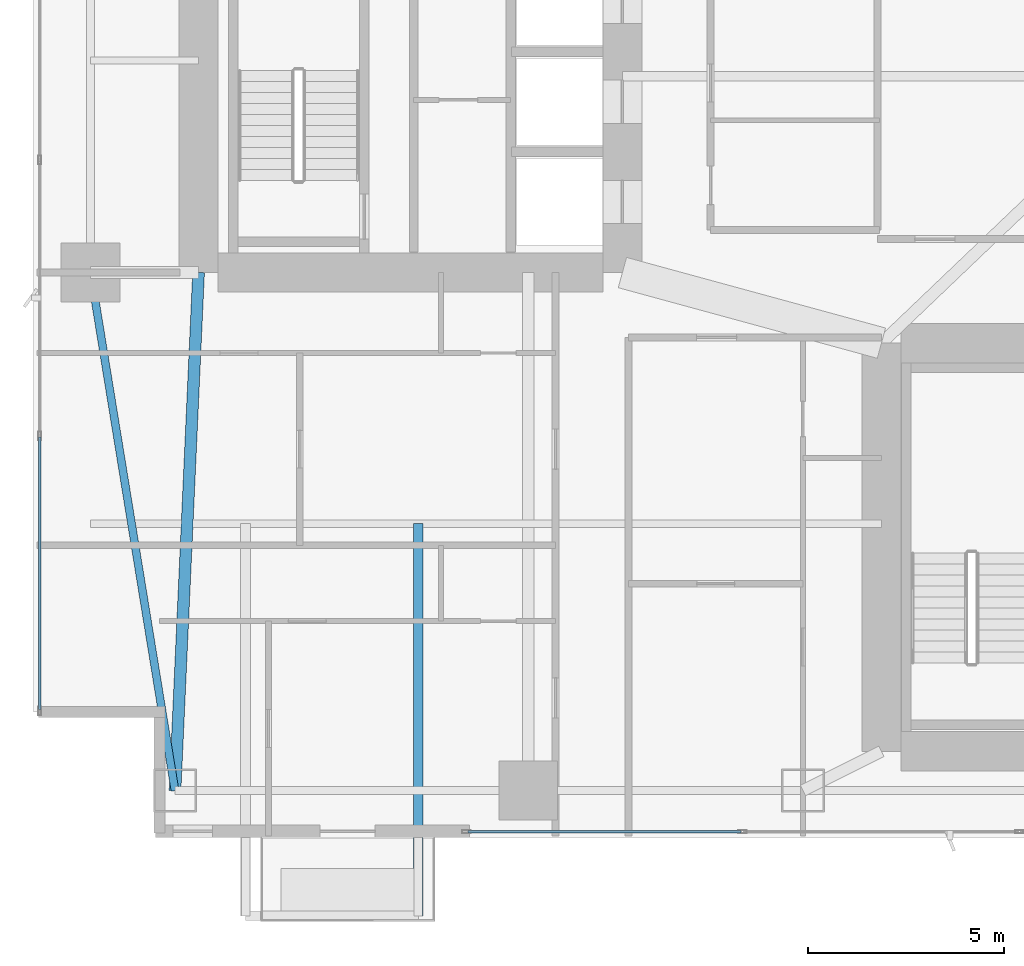
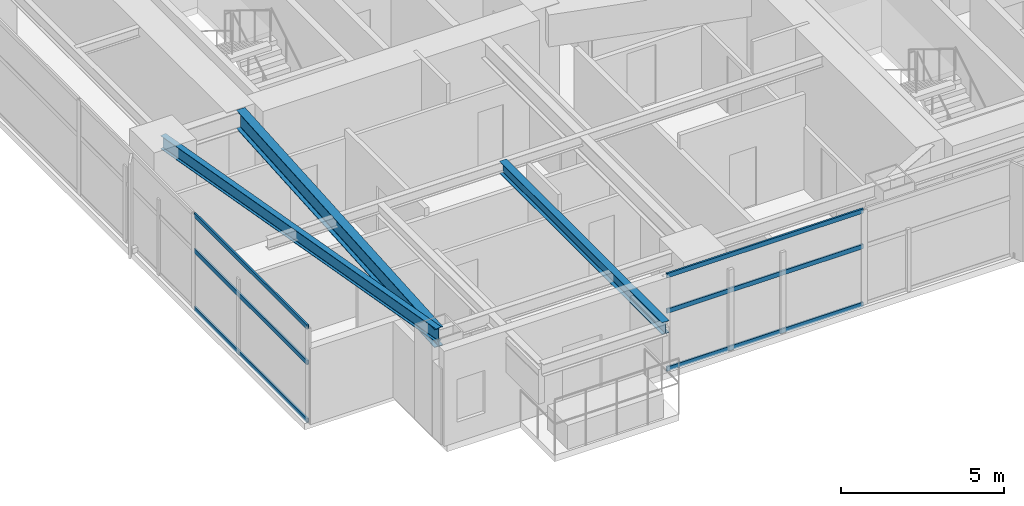
# One storey, part 3 of 29: 6 members, 3 beams, 2 elements without a shape of their own.
"""IFC4 building model written with IfcOpenShell, lengths in metres."""

from ifc_helpers import new_model, si_unit, direction, frame, origin, origin_2d, place, context, subcontext, project, spatial, hollow_rectangle, i_section, extrude, material, layer, layer_set, material_profile, profile_set, type_object, element, aggregate, save


model = new_model("IFC4")

# Units and contexts
model_context = context("Model", 3, precision=1e-05, world=origin(), true_north=direction((0.0, 1.0)))
body_context = subcontext(model_context, "Body", "Model", "MODEL_VIEW")
ifc_project = project(units=[si_unit("LENGTHUNIT", "METRE"), si_unit("AREAUNIT", "SQUARE_METRE"), si_unit("VOLUMEUNIT", "CUBIC_METRE"), si_unit("PLANEANGLEUNIT", "RADIAN"), si_unit("MASSUNIT", "GRAM", prefix="KILO")], contexts=[model_context])

# Site, building, storey
site_placement = place(None, origin())
site = spatial("IfcSite", under=ifc_project, at=site_placement, CompositionType="ELEMENT")
building_placement = place(site_placement, origin())
building = spatial("IfcBuilding", under=site, at=building_placement, Name="Calvorn Quay Hotel", CompositionType="ELEMENT")
storey_placement = place(building_placement, frame((0.0, 0.0, 62.199951171875)))
storey = spatial("IfcBuildingStorey", under=building, at=storey_placement, Name="L14", CompositionType="ELEMENT", Elevation=62.199951171875)

# Beams
ifc_material_1 = material(Name="Steel Q355B", Category="steel")
ifc_material_profile_1 = material_profile(ifc_material_1, i_section(OverallWidth=0.25, OverallDepth=0.449951171875, WebThickness=0.011962890625, FlangeThickness=0.01611328125, FilletRadius=0.01611328125, at=origin_2d()), Name="HN450x250x12x16")
ifc_profile_set_1 = profile_set([ifc_material_profile_1], Name="Steel Q355B")
beam_type_1 = type_object("IfcBeamType", Name="BM-CANT-BALC", PredefinedType="BEAM", material=ifc_profile_set_1)
beam_1_placement = place(storey_placement, frame((9.800048828125, 10.39990234375, 3.31494140625), z_axis=(0.0, -1.0, 0.0), x_axis=(1.0, 0.0, 0.0)))
element("IfcBeam", 1, at=beam_1_placement, inside=storey, type_object=beam_type_1, Name="Cantilever Balcony Beam BCB-L15-2B", PredefinedType="BEAM", context=body_context, shape_type="SweptSolid", body=[
    extrude(i_section(OverallWidth=0.25, OverallDepth=0.449951171875, WebThickness=0.011962890625, FlangeThickness=0.01611328125, FilletRadius=0.01611328125, at=origin_2d()), origin(), (0.0, 0.0, 1.0), 9.989990234375),
])
ifc_material_2 = material(Name="Steel Q390GJC", Category="steel")
ifc_material_profile_2 = material_profile(ifc_material_2, i_section(OverallWidth=0.300048828125, OverallDepth=0.699951171875, WebThickness=0.012939453125, FlangeThickness=0.02392578125, FilletRadius=0.02392578125, at=origin_2d()), Name="HN700x300x13x24")
ifc_profile_set_2 = profile_set([ifc_material_profile_2], Name="Steel Q390GJC")
beam_type_2 = type_object("IfcBeamType", Name="BM-GIRD-MAIN", PredefinedType="BEAM", material=ifc_profile_set_2)
beam_2_placement = place(storey_placement, frame((3.60009765625, 3.60009765625, 3.18994140625), z_axis=(0.045396765494, 0.998969035397, 0.0), x_axis=(-0.998969035397, 0.045396765494, 0.0)))
element("IfcBeam", 2, at=beam_2_placement, inside=storey, type_object=beam_type_2, Name="Beam BG-L14-W0", PredefinedType="BEAM", context=body_context, shape_type="SweptSolid", body=[
    extrude(i_section(OverallWidth=0.300048828125, OverallDepth=0.699951171875, WebThickness=0.012939453125, FlangeThickness=0.02392578125, FilletRadius=0.02392578125, at=origin_2d()), origin(), (0.0, 0.0, 1.0), 13.213623046875),
])
ifc_material_3 = material(Name="Steel Q355B", Category="steel")
ifc_material_profile_3 = material_profile(ifc_material_3, i_section(OverallWidth=0.199951171875, OverallDepth=0.5, WebThickness=0.010009765625, FlangeThickness=0.01611328125, FilletRadius=0.01611328125, at=origin_2d()), Name="HN500x200x10x16")
ifc_profile_set_3 = profile_set([ifc_material_profile_3], Name="Steel Q355B")
beam_type_3 = type_object("IfcBeamType", Name="BM-SPANDREL-Z1", PredefinedType="SPANDREL", material=ifc_profile_set_3)
beam_3_placement = place(storey_placement, frame((3.60009765625, 3.60009765625, 3.2900390625), z_axis=(-0.16077155054, 0.986991645627, 0.0), x_axis=(-0.986991645627, -0.16077155054, 0.0)))
element("IfcBeam", 3, at=beam_3_placement, inside=storey, type_object=beam_type_3, Name="Beam BSP-L14-W1", PredefinedType="SPANDREL", context=body_context, shape_type="SweptSolid", body=[
    extrude(i_section(OverallWidth=0.199951171875, OverallDepth=0.5, WebThickness=0.010009765625, FlangeThickness=0.01611328125, FilletRadius=0.01611328125, at=origin_2d()), origin(), (0.0, 0.0, 1.0), 13.3740234375),
])

# Curtain wall, members
ifc_material_4 = material(Name="Pale Anodised Aluminium and Low-E Glass", Category="aluminium")
ifc_layer = layer(ifc_material_4, 0.219970703125)
ifc_layer_set = layer_set([ifc_layer], Name="CW-SYS-Z1")
curtain_wall_type = type_object("IfcCurtainWallType", Name="CW-SYS-Z1", PredefinedType="NOTDEFINED", material=ifc_layer_set)
curtain_wall_1_placement = place(storey_placement, origin())
curtain_wall_1 = element("IfcCurtainWall", 4, at=curtain_wall_1_placement, inside=storey, type_object=curtain_wall_type, Name="Tower West Curtain Wall (L14)", PredefinedType="NOTDEFINED")
ifc_material_5 = material(Name="Pale Anodised Aluminium 6063-T6", Category="aluminium")
ifc_material_profile_4 = material_profile(ifc_material_5, hollow_rectangle(XDim=0.06494140625, YDim=0.1650390625, WallThickness=0.00341796875, at=origin_2d()), Name="ALU-T165x65x3.5")
ifc_profile_set_4 = profile_set([ifc_material_profile_4], Name="Pale Anodised Aluminium 6063-T6")
member_type = type_object("IfcMemberType", Name="CW-SYS-Z1-TRN", PredefinedType="USERDEFINED", material=ifc_profile_set_4)
member_1_placement = place(storey_placement, frame((0.14990234375, 5.659912109375, 0.030029296875), z_axis=(0.0, 1.0, 0.0), x_axis=(-1.0, 0.0, 0.0)))
member_1 = element("IfcMember", 5, at=member_1_placement, type_object=member_type, Name="CW-L14-W transom 1.1", ObjectType="TRANSOM", PredefinedType="USERDEFINED", context=body_context, shape_type="SweptSolid", body=[
    extrude(hollow_rectangle(XDim=0.06494140625, YDim=0.1650390625, WallThickness=0.00341796875, at=origin_2d()), origin(), (0.0, 0.0, 1.0), 6.943359375),
])
member_2_placement = place(storey_placement, frame((0.14990234375, 5.659912109375, 2.199951171875), z_axis=(0.0, 1.0, 0.0), x_axis=(-1.0, 0.0, 0.0)))
member_2 = element("IfcMember", 6, at=member_2_placement, type_object=member_type, Name="CW-L14-W transom 1.2", ObjectType="TRANSOM", PredefinedType="USERDEFINED", context=body_context, shape_type="SweptSolid", body=[
    extrude(hollow_rectangle(XDim=0.06494140625, YDim=0.1650390625, WallThickness=0.00341796875, at=origin_2d()), origin(), (0.0, 0.0, 1.0), 6.943359375),
])
member_3_placement = place(storey_placement, frame((0.14990234375, 5.659912109375, 3.530029296875), z_axis=(0.0, 1.0, 0.0), x_axis=(-1.0, 0.0, 0.0)))
member_3 = element("IfcMember", 7, at=member_3_placement, type_object=member_type, Name="CW-L14-W transom 1.3", ObjectType="TRANSOM", PredefinedType="USERDEFINED", context=body_context, shape_type="SweptSolid", body=[
    extrude(hollow_rectangle(XDim=0.06494140625, YDim=0.1650390625, WallThickness=0.00341796875, at=origin_2d()), origin(), (0.0, 0.0, 1.0), 6.943359375),
])
aggregate(curtain_wall_1, [member_1, member_2, member_3])

curtain_wall_2_placement = place(storey_placement, origin())
curtain_wall_2 = element("IfcCurtainWall", 8, at=curtain_wall_2_placement, inside=storey, type_object=curtain_wall_type, Name="Tower South Waterfront Curtain Wall (L14)", PredefinedType="NOTDEFINED")
member_4_placement = place(storey_placement, frame((11.06005859375, 2.550048828125, 0.030029296875), z_axis=(1.0, 0.0, 0.0), x_axis=(0.0, 1.0, 0.0)))
member_4 = element("IfcMember", 9, at=member_4_placement, type_object=member_type, Name="CW-L14-S transom 1.1", ObjectType="TRANSOM", PredefinedType="USERDEFINED", context=body_context, shape_type="SweptSolid", body=[
    extrude(hollow_rectangle(XDim=0.06494140625, YDim=0.1650390625, WallThickness=0.00341796875, at=origin_2d()), origin(), (0.0, 0.0, 1.0), 6.967041015625),
])
member_5_placement = place(storey_placement, frame((11.06005859375, 2.550048828125, 2.199951171875), z_axis=(1.0, 0.0, 0.0), x_axis=(0.0, 1.0, 0.0)))
member_5 = element("IfcMember", 10, at=member_5_placement, type_object=member_type, Name="CW-L14-S transom 1.2", ObjectType="TRANSOM", PredefinedType="USERDEFINED", context=body_context, shape_type="SweptSolid", body=[
    extrude(hollow_rectangle(XDim=0.06494140625, YDim=0.1650390625, WallThickness=0.00341796875, at=origin_2d()), origin(), (0.0, 0.0, 1.0), 6.967041015625),
])
member_6_placement = place(storey_placement, frame((11.06005859375, 2.550048828125, 3.530029296875), z_axis=(1.0, 0.0, 0.0), x_axis=(0.0, 1.0, 0.0)))
member_6 = element("IfcMember", 11, at=member_6_placement, type_object=member_type, Name="CW-L14-S transom 1.3", ObjectType="TRANSOM", PredefinedType="USERDEFINED", context=body_context, shape_type="SweptSolid", body=[
    extrude(hollow_rectangle(XDim=0.06494140625, YDim=0.1650390625, WallThickness=0.00341796875, at=origin_2d()), origin(), (0.0, 0.0, 1.0), 6.967041015625),
])
aggregate(curtain_wall_2, [member_4, member_5, member_6])

save(model, "model.ifc")
